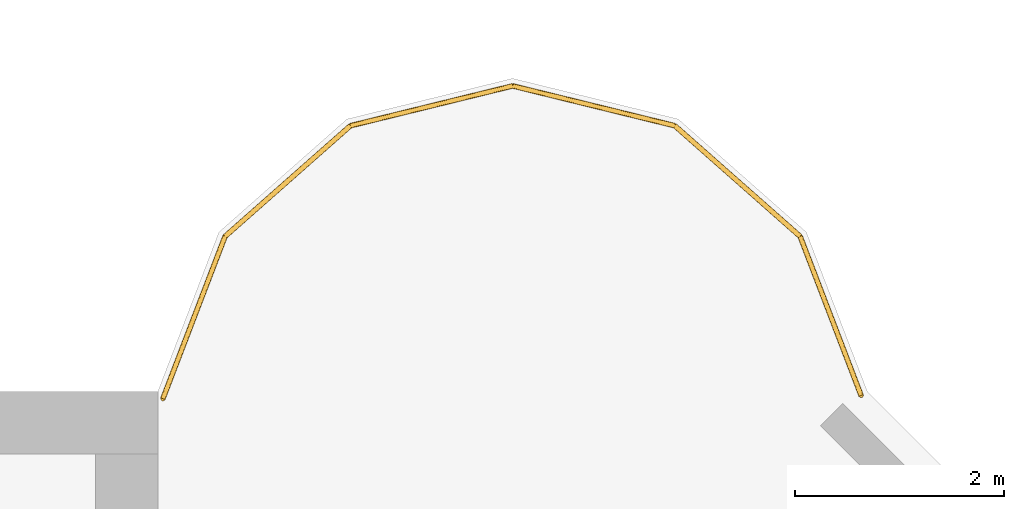
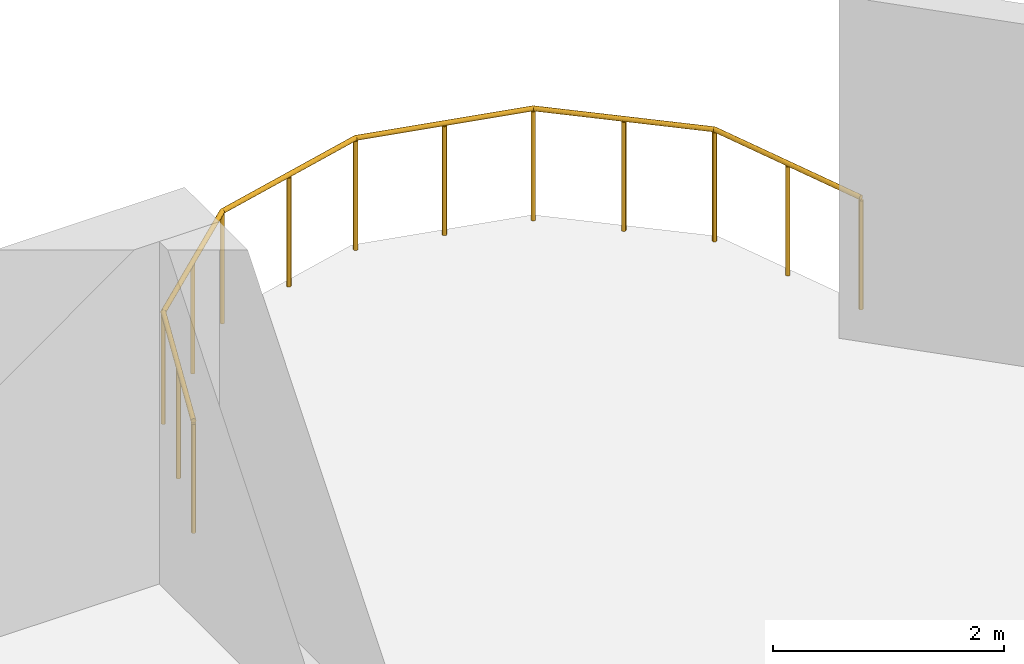
# One storey, part 11 of 12: 1 railing.
"""IFC4 building model written with IfcOpenShell, lengths in metres."""

import ifcopenshell
import ifcopenshell.guid

model = None  # the IFC model being written
_history = None  # IfcOwnerHistory: only IFC2X3 demands one
_inside = {}  # id of a spatial element -> (the spatial element, [elements in it])
_under = {}  # id of a project, library or spatial element -> (it, [spatial elements below it])
_declared = {}  # id of a project -> (the project, [libraries it declares])
_typed = {}  # id of a type object -> (the type object, [elements of that type])
_made_of = {}  # id of a material, layer set ... -> (it, [elements and type objects made of it])


def new_model(schema):
    """Start an empty IFC model of exactly this schema.

    Asked for "IFC4X3", IfcOpenShell would pick the latest addendum, in which some entities
    have other attributes; the version numbers below select the first issue.
    IFC2X3 requires an IfcOwnerHistory on every rooted entity: one is made here for all.
    """
    global model, _history
    if schema == "IFC4X3":
        model = ifcopenshell.file(schema_version=(4, 3, 0, 0))
    else:
        model = ifcopenshell.file(schema=schema)
    _inside.clear()
    _under.clear()
    _declared.clear()
    _typed.clear()
    _made_of.clear()
    _history = None
    if model.schema == "IFC2X3":
        org = make("IfcOrganization", Name="unknown")
        user = make(
            "IfcPersonAndOrganization",
            ThePerson=make("IfcPerson", FamilyName="unknown"),
            TheOrganization=org,
        )
        app = make(
            "IfcApplication",
            ApplicationDeveloper=org,
            Version="unknown",
            ApplicationFullName="unknown",
            ApplicationIdentifier="unknown",
        )
        _history = make(
            "IfcOwnerHistory",
            OwningUser=user,
            OwningApplication=app,
            ChangeAction="ADDED",
            CreationDate=0,
        )
    return model


def make(cls, **values):
    """One entity of the class cls with the attributes given. An attribute that is None is left unset."""
    return model.create_entity(
        cls, **{name: value for name, value in values.items() if value is not None}
    )


def rooted(cls, **values):
    """An entity with a GlobalId (a new one), such as an element, a storey or a relation."""
    return make(cls, GlobalId=ifcopenshell.guid.new(), OwnerHistory=_history, **values)


def si_unit(unit_type, name, prefix=None):
    """IfcSIUnit, for example si_unit("LENGTHUNIT", "METRE", prefix="MILLI")."""
    return make("IfcSIUnit", UnitType=unit_type, Prefix=prefix, Name=name)


def assignment(units):
    """IfcUnitAssignment: the units of a project."""
    return None if units is None else make("IfcUnitAssignment", Units=units)


def point(xyz):
    """IfcCartesianPoint."""
    return None if xyz is None else make("IfcCartesianPoint", Coordinates=xyz)


def direction(xyz):
    """IfcDirection."""
    return None if xyz is None else make("IfcDirection", DirectionRatios=xyz)


def frame(location, z_axis=None, x_axis=None):
    """IfcAxis2Placement3D, a coordinate frame: its origin and axes. An axis left out is left unset."""
    return make(
        "IfcAxis2Placement3D",
        Location=point(location),
        Axis=direction(z_axis),
        RefDirection=direction(x_axis),
    )


def frame_2d(location, x_axis=None):
    """IfcAxis2Placement2D, a coordinate frame in the plane: its origin and x axis."""
    return make(
        "IfcAxis2Placement2D", Location=point(location), RefDirection=direction(x_axis)
    )


def origin():
    """The frame at (0, 0, 0) with its axes left unset."""
    return frame((0.0, 0.0, 0.0))


def origin_2d():
    """The frame at (0, 0) in the plane with its x axis left unset."""
    return frame_2d((0.0, 0.0))


def place(relative_to, where):
    """IfcLocalPlacement: puts the frame where relative to a parent placement (None: the world)."""
    return make(
        "IfcLocalPlacement", PlacementRelTo=relative_to, RelativePlacement=where
    )


def context(
    kind, dimensions, precision=None, world=None, true_north=None, identifier=None
):
    """IfcGeometricRepresentationContext, for example the 3D "Model" context."""
    return make(
        "IfcGeometricRepresentationContext",
        ContextIdentifier=identifier,
        ContextType=kind,
        CoordinateSpaceDimension=dimensions,
        Precision=precision,
        WorldCoordinateSystem=world,
        TrueNorth=true_north,
    )


def subcontext(parent, identifier, kind, view, scale=None):
    """IfcGeometricRepresentationSubContext, for example "Body" below "Model"."""
    return make(
        "IfcGeometricRepresentationSubContext",
        ContextIdentifier=identifier,
        ContextType=kind,
        ParentContext=parent,
        TargetScale=scale,
        TargetView=view,
    )


def project(units=None, contexts=None):
    """IfcProject with its units and contexts."""
    return rooted(
        "IfcProject",
        Name="project",
        RepresentationContexts=contexts,
        UnitsInContext=assignment(units),
    )


def spatial(cls, under=None, at=None, **own):
    """A site, building, storey or space (cls), placed at a placement, below another one or the project."""
    s = rooted(cls, ObjectPlacement=at, **own)
    if under is not None:
        _under.setdefault(under.id(), (under, []))[1].append(s)
    return s


def profile(cls, at=None, kind="AREA", **sizes):
    """A parametric profile (cls). Its sizes go by their IFC names, for example OverallWidth=200.0."""
    return make(cls, ProfileType=kind, Position=at, **sizes)


def circle(**sizes):
    """IfcCircleProfileDef."""
    return profile("IfcCircleProfileDef", **sizes)


def extrude(swept, where, along, depth):
    """IfcExtrudedAreaSolid: the profile swept, set in the frame where, extruded along a direction by depth."""
    return make(
        "IfcExtrudedAreaSolid",
        SweptArea=swept,
        Position=where,
        ExtrudedDirection=direction(along),
        Depth=depth,
    )


def shape(context_of_items, identifier, shape_type, items):
    """IfcShapeRepresentation: the items that make up one representation, for example the "Body"."""
    return make(
        "IfcShapeRepresentation",
        ContextOfItems=context_of_items,
        RepresentationIdentifier=identifier,
        RepresentationType=shape_type,
        Items=items,
    )


def source(mapping_origin, context_of_items, identifier, shape_type, items):
    """IfcRepresentationMap: a shape defined once, which mapped items show again and again."""
    return make(
        "IfcRepresentationMap",
        MappingOrigin=mapping_origin,
        MappedRepresentation=shape(context_of_items, identifier, shape_type, items),
    )


def transform(
    local_origin,
    x_axis=None,
    y_axis=None,
    z_axis=None,
    scale=None,
    scale2=None,
    scale3=None,
    uniform=True,
):
    """IfcCartesianTransformationOperator3D, or its non-uniform kind. x_axis, y_axis, z_axis: its Axis1, 2, 3."""
    if uniform:
        return make(
            "IfcCartesianTransformationOperator3D",
            Axis1=direction(x_axis),
            Axis2=direction(y_axis),
            LocalOrigin=point(local_origin),
            Scale=scale,
            Axis3=direction(z_axis),
        )
    return make(
        "IfcCartesianTransformationOperator3DnonUniform",
        Axis1=direction(x_axis),
        Axis2=direction(y_axis),
        LocalOrigin=point(local_origin),
        Scale=scale,
        Axis3=direction(z_axis),
        Scale2=scale2,
        Scale3=scale3,
    )


def mapped(mapping_source, mapping_target):
    """IfcMappedItem: shows the shape of a source again, moved by a transform."""
    return make(
        "IfcMappedItem", MappingSource=mapping_source, MappingTarget=mapping_target
    )


def material(Name=None, Category=None):
    """IfcMaterial."""
    return make("IfcMaterial", Name=Name, Category=Category)


def made_of(thing, what):
    """Note that an element or type object is made of a material, layer set ...; save() writes the relation."""
    if what is not None:
        _made_of.setdefault(what.id(), (what, []))[1].append(thing)
    return thing


def type_object(cls, material=None, **own):
    """A type object (cls), such as IfcWallType, which elements share."""
    return made_of(rooted(cls, **own), material)


def element(
    cls,
    number,
    at=None,
    inside=None,
    cuts=None,
    type_object=None,
    material=None,
    context=None,
    identifier="Body",
    shape_type=None,
    held_by="IfcProductDefinitionShape",
    body=None,
    shapes=None,
    **own,
):
    """One element of the class cls, such as IfcWall. Its Tag is "e" and its number.

    at: its placement. inside: the storey or other place that contains it. cuts: it is an
    opening in that element (IfcRelVoidsElement). A single representation is given by context,
    identifier, shape_type and body (its items); several are given by shapes. held_by: the class
    of the entity that holds the representations. save() writes the other relations.
    """
    e = rooted(cls, Tag="e%d" % number, ObjectPlacement=at, **own)
    if body is not None:
        shapes = [shape(context, identifier, shape_type, body)]
    if shapes is not None:
        e.Representation = make(held_by, Representations=shapes)
    if inside is not None:
        _inside.setdefault(inside.id(), (inside, []))[1].append(e)
    if cuts is not None:
        rooted(
            "IfcRelVoidsElement", RelatingBuildingElement=cuts, RelatedOpeningElement=e
        )
    if type_object is not None:
        _typed.setdefault(type_object.id(), (type_object, []))[1].append(e)
    return made_of(e, material)


def aggregate(whole, parts):
    """IfcRelAggregates: a whole, such as a stair, and the parts it consists of."""
    return rooted("IfcRelAggregates", RelatingObject=whole, RelatedObjects=parts)


def save(model, path):
    """Write the relations noted so far, then the file.

    IfcRelAggregates (storeys below a building ...), IfcRelContainedInSpatialStructure (elements
    in a storey), IfcRelDefinesByType, IfcRelAssociatesMaterial and IfcRelDeclares: one each for
    every whole, place, type object, material and project.
    """
    for whole, parts in _under.values():
        aggregate(whole, parts)
    for where, things in _inside.values():
        rooted(
            "IfcRelContainedInSpatialStructure",
            RelatedElements=things,
            RelatingStructure=where,
        )
    for kind, things in _typed.values():
        rooted("IfcRelDefinesByType", RelatedObjects=things, RelatingType=kind)
    for what, things in _made_of.values():
        rooted("IfcRelAssociatesMaterial", RelatedObjects=things, RelatingMaterial=what)
    for by, libraries in _declared.values():
        rooted("IfcRelDeclares", RelatingContext=by, RelatedDefinitions=libraries)
    model.write(path)


model = new_model("IFC4")

# Units and contexts
model_context = context("Model", 3, precision=1e-05, world=origin(), true_north=direction((0.0, 1.0)))
body_context = subcontext(model_context, "Body", "Model", "MODEL_VIEW")
ifc_project = project(units=[si_unit("LENGTHUNIT", "METRE"), si_unit("AREAUNIT", "SQUARE_METRE"), si_unit("VOLUMEUNIT", "CUBIC_METRE"), si_unit("PLANEANGLEUNIT", "RADIAN"), si_unit("MASSUNIT", "GRAM", prefix="KILO")], contexts=[model_context])

# Site, building, storey
site_placement = place(None, origin())
site = spatial("IfcSite", under=ifc_project, at=site_placement, CompositionType="ELEMENT")
building_placement = place(site_placement, origin())
building = spatial("IfcBuilding", under=site, at=building_placement, Name="Vanashikhar Sky Hotel", CompositionType="ELEMENT")
storey_placement = place(building_placement, frame((0.0, 0.0, 237.39990234375)))
storey = spatial("IfcBuildingStorey", under=building, at=storey_placement, Name="L57", CompositionType="ELEMENT", Elevation=237.39990234375)

# Railing
ifc_material = material(Name="Stainless steel 316", Category="steel")
railing_type = type_object("IfcRailingType", Name="Refuge terrace guard 1200", PredefinedType="GUARDRAIL", material=ifc_material)
shared_shape = source(origin(), body_context, "Body", "SweptSolid", [
    extrude(circle(Radius=0.02392578125, at=origin_2d()), frame((0.0, 0.0, 1.17578125), z_axis=(-0.357766549327, 0.933811060216, 0.0), x_axis=(-0.933811060216, -0.357766549327, 0.0)), (0.0, 0.0, 1.0), 1.633056640625),
    extrude(circle(Radius=0.02392578125, at=origin_2d()), frame((-0.584228515625, 1.52490234375, 1.17578125), z_axis=(-0.749699987355, 0.661777854692, 0.0), x_axis=(-0.661777854692, -0.749699987355, 0.0)), (0.0, 0.0, 1.0), 1.602294921875),
    extrude(circle(Radius=0.02392578125, at=origin_2d()), frame((-1.785400390625, 2.585205078125, 1.17578125), z_axis=(-0.971138901218, 0.238514642196, 0.0), x_axis=(-0.238514642196, -0.971138901218, 0.0)), (0.0, 0.0, 1.0), 1.600830078125),
    extrude(circle(Radius=0.02392578125, at=origin_2d()), frame((-3.340087890625, 2.967041015625, 1.17578125), z_axis=(-0.971138901218, -0.238514642196, 0.0), x_axis=(0.238514642196, -0.971138901218, 0.0)), (0.0, 0.0, 1.0), 1.600830078125),
    extrude(circle(Radius=0.02392578125, at=origin_2d()), frame((-4.894775390625, 2.585205078125, 1.17578125), z_axis=(-0.749699987355, -0.661777854692, 0.0), x_axis=(0.661777854692, -0.749699987355, 0.0)), (0.0, 0.0, 1.0), 1.602294921875),
    extrude(circle(Radius=0.02392578125, at=origin_2d()), frame((-6.095947265625, 1.52490234375, 1.17578125), z_axis=(-0.357682612009, -0.933843214392, 0.0), x_axis=(0.933843214392, -0.357682612009, 0.0)), (0.0, 0.0, 1.0), 1.666015625),
    extrude(circle(Radius=0.02099609375, at=origin_2d()), origin(), (0.0, 0.0, 1.0), 1.15185546875),
    extrude(circle(Radius=0.02099609375, at=origin_2d()), frame((-0.2919921875, 0.762451171875, 0.0)), (0.0, 0.0, 1.0), 1.15185546875),
    extrude(circle(Radius=0.02099609375, at=origin_2d()), frame((-0.584228515625, 1.52490234375, 0.0)), (0.0, 0.0, 1.0), 1.15185546875),
    extrude(circle(Radius=0.02099609375, at=origin_2d()), frame((-1.184814453125, 2.05517578125, 0.0)), (0.0, 0.0, 1.0), 1.15185546875),
    extrude(circle(Radius=0.02099609375, at=origin_2d()), frame((-1.785400390625, 2.585205078125, 0.0)), (0.0, 0.0, 1.0), 1.15185546875),
    extrude(circle(Radius=0.02099609375, at=origin_2d()), frame((-2.562744140625, 2.776123046875, 0.0)), (0.0, 0.0, 1.0), 1.15185546875),
    extrude(circle(Radius=0.02099609375, at=origin_2d()), frame((-3.340087890625, 2.967041015625, 0.0)), (0.0, 0.0, 1.0), 1.15185546875),
    extrude(circle(Radius=0.02099609375, at=origin_2d()), frame((-4.117431640625, 2.776123046875, 0.0)), (0.0, 0.0, 1.0), 1.15185546875),
    extrude(circle(Radius=0.02099609375, at=origin_2d()), frame((-4.894775390625, 2.585205078125, 0.0)), (0.0, 0.0, 1.0), 1.15185546875),
    extrude(circle(Radius=0.02099609375, at=origin_2d()), frame((-5.495361328125, 2.05517578125, 0.0)), (0.0, 0.0, 1.0), 1.15185546875),
    extrude(circle(Radius=0.02099609375, at=origin_2d()), frame((-6.095947265625, 1.52490234375, 0.0)), (0.0, 0.0, 1.0), 1.15185546875),
    extrude(circle(Radius=0.02099609375, at=origin_2d()), frame((-6.39404296875, 0.7470703125, 0.0)), (0.0, 0.0, 1.0), 1.15185546875),
    extrude(circle(Radius=0.02099609375, at=origin_2d()), frame((-6.69189453125, -0.031005859375, 0.0)), (0.0, 0.0, 1.0), 1.15185546875),
])
railing_placement = place(storey_placement, frame((82.340087890625, 41.9609375, 0.0)))
element("IfcRailing", 1, at=railing_placement, inside=storey, type_object=railing_type, Name="Refuge terrace guard", PredefinedType="GUARDRAIL", context=body_context, shape_type="MappedRepresentation", body=[
    mapped(shared_shape, transform((0.0, 0.0, 0.0), scale=1.0)),
])

save(model, "model.ifc")
